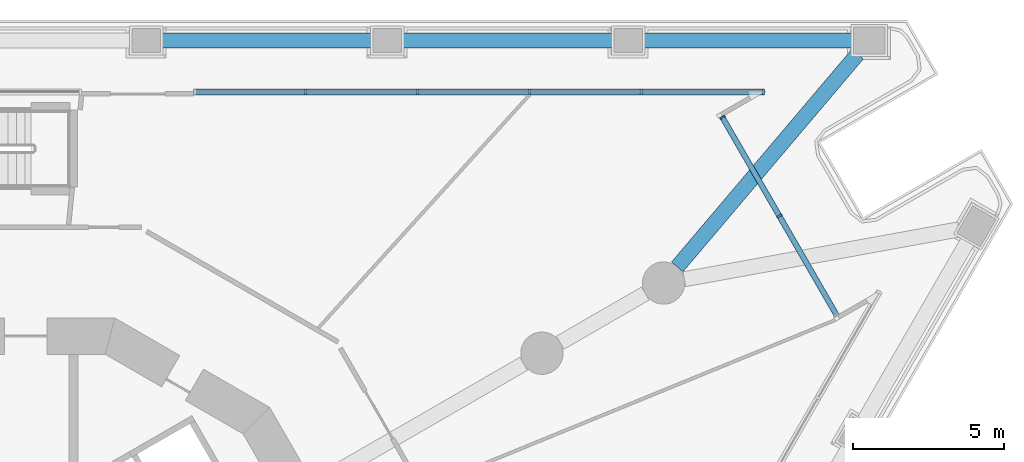
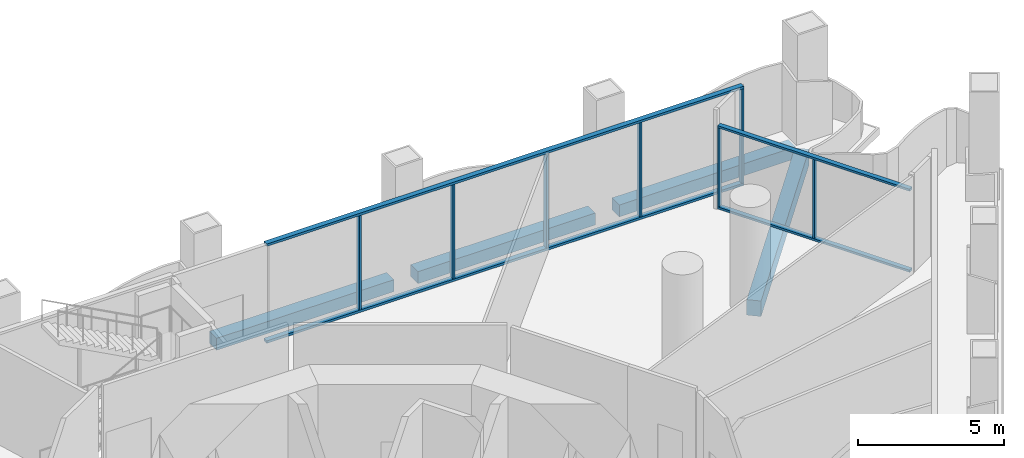
# One storey, part 8 of 21: 11 members, 4 beams, 2 elements without a shape of their own.
"""IFC4 building model written with IfcOpenShell, lengths in metres."""

from ifc_helpers import new_model, si_unit, direction, frame, origin, origin_2d, place, context, subcontext, project, spatial, rectangle, extrude, material, layer, layer_set, material_profile, profile_set, type_object, element, aggregate, save


model = new_model("IFC4")

# Units and contexts
model_context = context("Model", 3, precision=1e-05, world=origin(), true_north=direction((0.0, 1.0)))
body_context = subcontext(model_context, "Body", "Model", "MODEL_VIEW")
ifc_project = project(units=[si_unit("LENGTHUNIT", "METRE"), si_unit("AREAUNIT", "SQUARE_METRE"), si_unit("VOLUMEUNIT", "CUBIC_METRE"), si_unit("PLANEANGLEUNIT", "RADIAN"), si_unit("MASSUNIT", "GRAM", prefix="KILO")], contexts=[model_context])

# Site, building, storey
site_placement = place(None, origin())
site = spatial("IfcSite", under=ifc_project, at=site_placement, CompositionType="ELEMENT")
building_placement = place(site_placement, origin())
building = spatial("IfcBuilding", under=site, at=building_placement, Name="Trine Commons Tower", CompositionType="ELEMENT")
storey_placement = place(building_placement, frame((0.0, 0.0, 13.5)))
storey = spatial("IfcBuildingStorey", under=building, at=storey_placement, Name="L02", CompositionType="ELEMENT", Elevation=13.5)

# Curtain wall, members
ifc_material_1 = material(Name="Corner pocket glazing: anodised aluminium frame with low-emissivity double glazed unit, laminated", Category="aluminium")
ifc_layer_1 = layer(ifc_material_1, 0.179931640625)
ifc_layer_set_1 = layer_set([ifc_layer_1], Name="Corner pocket glazing: anodised aluminium frame with low-emissivity double glazed unit, laminated")
curtain_wall_type_1 = type_object("IfcCurtainWallType", Name="Corner pocket glazing curtain wall CW8", PredefinedType="NOTDEFINED", material=ifc_layer_set_1)
curtain_wall_1_placement = place(storey_placement, origin())
curtain_wall_1 = element("IfcCurtainWall", 1, at=curtain_wall_1_placement, inside=storey, type_object=curtain_wall_type_1, Name="Corner pocket glazing L02 P2.1", PredefinedType="NOTDEFINED")
ifc_material_2 = material(Name="Anodised aluminium, bronze finish", Category="aluminium")
ifc_material_profile_1 = material_profile(ifc_material_2, rectangle(XDim=0.179931640625, YDim=0.06494140625, at=origin_2d()), Name="Mullion 65x180")
ifc_profile_set_1 = profile_set([ifc_material_profile_1], Name="Anodised aluminium, bronze finish")
member_type_1 = type_object("IfcMemberType", Name="Mullion 65x180, Anodised aluminium, bronze finish", PredefinedType="MULLION", material=ifc_profile_set_1)
member_1_placement = place(storey_placement, frame((103.0224609375, 80.142333984375, 0.090087890625), z_axis=(0.0, 0.0, 1.0), x_axis=(0.866025403784, 0.5, 0.0)))
member_1 = element("IfcMember", 2, at=member_1_placement, type_object=member_type_1, Name="CW8 mullion 1.1", PredefinedType="MULLION", context=body_context, shape_type="SweptSolid", body=[
    extrude(rectangle(XDim=0.179931640625, YDim=0.06494140625, at=origin_2d()), origin(), (0.0, 0.0, 1.0), 3.2998046875),
])
member_2_placement = place(storey_placement, frame((104.90625, 76.879638671875, 0.090087890625), z_axis=(0.0, 0.0, 1.0), x_axis=(0.866025403784, 0.5, 0.0)))
member_2 = element("IfcMember", 3, at=member_2_placement, type_object=member_type_1, Name="CW8 mullion 2.1", PredefinedType="MULLION", context=body_context, shape_type="SweptSolid", body=[
    extrude(rectangle(XDim=0.179931640625, YDim=0.06494140625, at=origin_2d()), origin(), (0.0, 0.0, 1.0), 3.2998046875),
])

ifc_material_3 = material(Name="Podium glazing: anodised aluminium frame with low-emissivity double glazed unit", Category="aluminium")
ifc_layer_2 = layer(ifc_material_3, 0.199951171875)
ifc_layer_set_2 = layer_set([ifc_layer_2], Name="Podium glazing: anodised aluminium frame with low-emissivity double glazed unit")
curtain_wall_type_2 = type_object("IfcCurtainWallType", Name="Podium glazing curtain wall CW3", PredefinedType="NOTDEFINED", material=ifc_layer_set_2)
curtain_wall_2_placement = place(storey_placement, origin())
curtain_wall_2 = element("IfcCurtainWall", 4, at=curtain_wall_2_placement, inside=storey, type_object=curtain_wall_type_2, Name="Podium glazing L02 F1.2", PredefinedType="NOTDEFINED")
ifc_material_profile_2 = material_profile(ifc_material_2, rectangle(XDim=0.199951171875, YDim=0.074951171875, at=origin_2d()), Name="Mullion 75x200")
ifc_profile_set_2 = profile_set([ifc_material_profile_2], Name="Anodised aluminium, bronze finish")
member_type_2 = type_object("IfcMemberType", Name="Mullion 75x200, Anodised aluminium, bronze finish", PredefinedType="MULLION", material=ifc_profile_set_2)
member_3_placement = place(storey_placement, frame((89.2470703125, 80.984619140625, 0.10009765625), z_axis=(0.0, 0.0, 1.0), x_axis=(0.0, 1.0, 0.0)))
member_3 = element("IfcMember", 5, at=member_3_placement, type_object=member_type_2, Name="CW3 mullion 2.1", PredefinedType="MULLION", context=body_context, shape_type="SweptSolid", body=[
    extrude(rectangle(XDim=0.199951171875, YDim=0.074951171875, at=origin_2d()), origin(), (0.0, 0.0, 1.0), 3.949951171875),
])
member_4_placement = place(storey_placement, frame((92.94580078125, 80.984619140625, 0.10009765625), z_axis=(0.0, 0.0, 1.0), x_axis=(0.0, 1.0, 0.0)))
member_4 = element("IfcMember", 6, at=member_4_placement, type_object=member_type_2, Name="CW3 mullion 3.1", PredefinedType="MULLION", context=body_context, shape_type="SweptSolid", body=[
    extrude(rectangle(XDim=0.199951171875, YDim=0.074951171875, at=origin_2d()), origin(), (0.0, 0.0, 1.0), 3.949951171875),
])
member_5_placement = place(storey_placement, frame((96.644775390625, 80.984619140625, 0.10009765625), z_axis=(0.0, 0.0, 1.0), x_axis=(0.0, 1.0, 0.0)))
member_5 = element("IfcMember", 7, at=member_5_placement, type_object=member_type_2, Name="CW3 mullion 4.1", PredefinedType="MULLION", context=body_context, shape_type="SweptSolid", body=[
    extrude(rectangle(XDim=0.199951171875, YDim=0.074951171875, at=origin_2d()), origin(), (0.0, 0.0, 1.0), 3.949951171875),
])
member_6_placement = place(storey_placement, frame((100.34375, 80.984619140625, 0.10009765625), z_axis=(0.0, 0.0, 1.0), x_axis=(0.0, 1.0, 0.0)))
member_6 = element("IfcMember", 8, at=member_6_placement, type_object=member_type_2, Name="CW3 mullion 5.1", PredefinedType="MULLION", context=body_context, shape_type="SweptSolid", body=[
    extrude(rectangle(XDim=0.199951171875, YDim=0.074951171875, at=origin_2d()), origin(), (0.0, 0.0, 1.0), 3.949951171875),
])
member_7_placement = place(storey_placement, frame((104.37890625, 80.984619140625, 0.10009765625), z_axis=(0.0, 0.0, 1.0), x_axis=(0.0, 1.0, 0.0)))
member_7 = element("IfcMember", 9, at=member_7_placement, type_object=member_type_2, Name="CW3 mullion 6.1", PredefinedType="MULLION", context=body_context, shape_type="SweptSolid", body=[
    extrude(rectangle(XDim=0.199951171875, YDim=0.074951171875, at=origin_2d()), origin(), (0.0, 0.0, 1.0), 3.949951171875),
])

# Beams
ifc_material_4 = material(Name="Concrete C50/60", Category="concrete")
ifc_material_profile_3 = material_profile(ifc_material_4, rectangle(XDim=0.5, YDim=0.5, at=origin_2d()), Name="RC 500x500")
ifc_profile_set_3 = profile_set([ifc_material_profile_3], Name="Concrete C50/60")
beam_type_1 = type_object("IfcBeamType", Name="RC beam 500x500, C50/60", PredefinedType="BEAM", material=ifc_profile_set_3)
beam_1_placement = place(storey_placement, frame((84.456787109375, 82.6845703125, -0.60009765625), z_axis=(1.0, 0.0, 0.0), x_axis=(0.0, 1.0, 0.0)))
element("IfcBeam", 10, at=beam_1_placement, inside=storey, type_object=beam_type_1, Name="Beam EB1-12 L02", PredefinedType="BEAM", context=body_context, shape_type="SweptSolid", body=[
    extrude(rectangle(XDim=0.5, YDim=0.5, at=origin_2d()), origin(), (0.0, 0.0, 1.0), 7.013427734375),
])
beam_2_placement = place(storey_placement, frame((92.420166015625, 82.6845703125, -0.60009765625), z_axis=(1.0, 0.0, 0.0), x_axis=(0.0, 1.0, 0.0)))
element("IfcBeam", 11, at=beam_2_placement, inside=storey, type_object=beam_type_1, Name="Beam EB1-13 L02", PredefinedType="BEAM", context=body_context, shape_type="SweptSolid", body=[
    extrude(rectangle(XDim=0.5, YDim=0.5, at=origin_2d()), origin(), (0.0, 0.0, 1.0), 7.01318359375),
])
beam_3_placement = place(storey_placement, frame((100.38330078125, 82.6845703125, -0.60009765625), z_axis=(1.0, 0.0, 0.0), x_axis=(0.0, 1.0, 0.0)))
element("IfcBeam", 12, at=beam_3_placement, inside=storey, type_object=beam_type_1, Name="Beam EB1-14 L02", PredefinedType="BEAM", context=body_context, shape_type="SweptSolid", body=[
    extrude(rectangle(XDim=0.5, YDim=0.5, at=origin_2d()), origin(), (0.0, 0.0, 1.0), 6.96337890625),
])
ifc_material_profile_4 = material_profile(ifc_material_4, rectangle(XDim=0.5, YDim=0.64990234375, at=origin_2d()), Name="RC 500x650")
ifc_profile_set_4 = profile_set([ifc_material_profile_4], Name="Concrete C50/60")
beam_type_2 = type_object("IfcBeamType", Name="RC beam 500x650, C50/60", PredefinedType="BEAM", material=ifc_profile_set_4)
beam_4_placement = place(storey_placement, frame((107.490478515625, 82.234619140625, -0.675048828125), z_axis=(-0.646611559024, -0.762819435867, 0.0), x_axis=(0.762819435867, -0.646611559024, 0.0)))
element("IfcBeam", 13, at=beam_4_placement, inside=storey, type_object=beam_type_2, Name="Beam CB1-03 L02", PredefinedType="BEAM", context=body_context, shape_type="SweptSolid", body=[
    extrude(rectangle(XDim=0.5, YDim=0.64990234375, at=origin_2d()), origin(), (0.0, 0.0, 1.0), 9.21875),
])

# Member
ifc_material_profile_5 = material_profile(ifc_material_2, rectangle(XDim=0.199951171875, YDim=0.10009765625, at=origin_2d()), Name="Transom 100x200")
ifc_profile_set_5 = profile_set([ifc_material_profile_5], Name="Anodised aluminium, bronze finish")
member_type_3 = type_object("IfcMemberType", Name="Transom 100x200, Anodised aluminium, bronze finish", PredefinedType="USERDEFINED", material=ifc_profile_set_5)
member_8_placement = place(storey_placement, frame((85.548095703125, 80.984619140625, 0.050048828125), z_axis=(1.0, 0.0, 0.0), x_axis=(0.0, 1.0, 0.0)))
member_8 = element("IfcMember", 14, at=member_8_placement, type_object=member_type_3, Name="CW3 transom T00", ObjectType="TRANSOM", PredefinedType="USERDEFINED", context=body_context, shape_type="SweptSolid", body=[
    extrude(rectangle(XDim=0.199951171875, YDim=0.10009765625, at=origin_2d()), origin(), (0.0, 0.0, 1.0), 18.8681640625),
])

member_9_placement = place(storey_placement, frame((85.548095703125, 80.984619140625, 4.10009765625), z_axis=(1.0, 0.0, 0.0), x_axis=(0.0, 1.0, 0.0)))
member_9 = element("IfcMember", 15, at=member_9_placement, type_object=member_type_3, Name="CW3 transom TH00", ObjectType="TRANSOM", PredefinedType="USERDEFINED", context=body_context, shape_type="SweptSolid", body=[
    extrude(rectangle(XDim=0.199951171875, YDim=0.10009765625, at=origin_2d()), origin(), (0.0, 0.0, 1.0), 18.8681640625),
])

aggregate(curtain_wall_2, [member_8, member_9, member_3, member_4, member_5, member_6, member_7])

ifc_material_profile_6 = material_profile(ifc_material_2, rectangle(XDim=0.179931640625, YDim=0.090087890625, at=origin_2d()), Name="Transom 90x180")
ifc_profile_set_6 = profile_set([ifc_material_profile_6], Name="Anodised aluminium, bronze finish")
member_type_4 = type_object("IfcMemberType", Name="Transom 90x180, Anodised aluminium, bronze finish", PredefinedType="USERDEFINED", material=ifc_profile_set_6)
member_10_placement = place(storey_placement, frame((103.006103515625, 80.17041015625, 0.044921875), z_axis=(0.500005158081, -0.866022425744, 0.0), x_axis=(0.866022425744, 0.500005158081, 0.0)))
member_10 = element("IfcMember", 16, at=member_10_placement, type_object=member_type_4, Name="CW8 transom T00", ObjectType="TRANSOM", PredefinedType="USERDEFINED", context=body_context, shape_type="SweptSolid", body=[
    extrude(rectangle(XDim=0.179931640625, YDim=0.090087890625, at=origin_2d()), origin(), (0.0, 0.0, 1.0), 7.60009765625),
])

member_11_placement = place(storey_placement, frame((103.006103515625, 80.17041015625, 3.43505859375), z_axis=(0.500005158081, -0.866022425744, 0.0), x_axis=(0.866022425744, 0.500005158081, 0.0)))
member_11 = element("IfcMember", 17, at=member_11_placement, type_object=member_type_4, Name="CW8 transom TH00", ObjectType="TRANSOM", PredefinedType="USERDEFINED", context=body_context, shape_type="SweptSolid", body=[
    extrude(rectangle(XDim=0.179931640625, YDim=0.090087890625, at=origin_2d()), origin(), (0.0, 0.0, 1.0), 7.60009765625),
])

aggregate(curtain_wall_1, [member_10, member_11, member_1, member_2])

save(model, "model.ifc")
